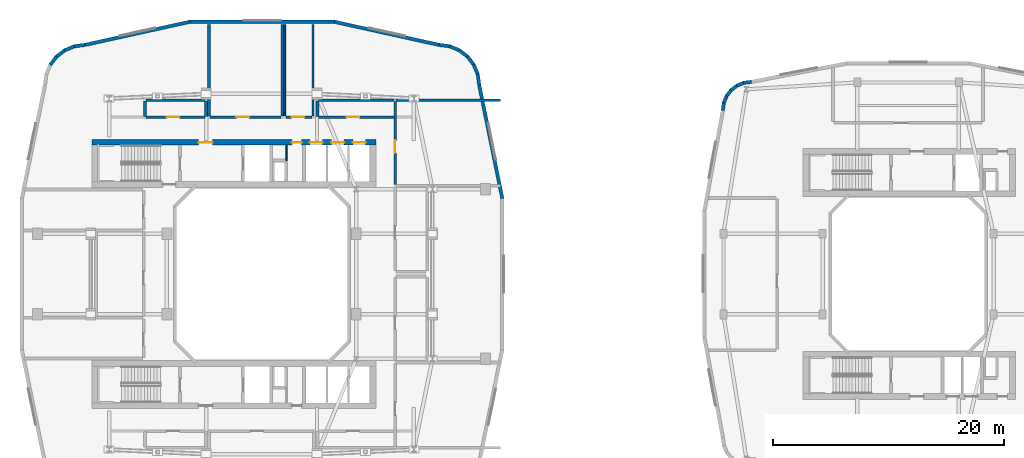
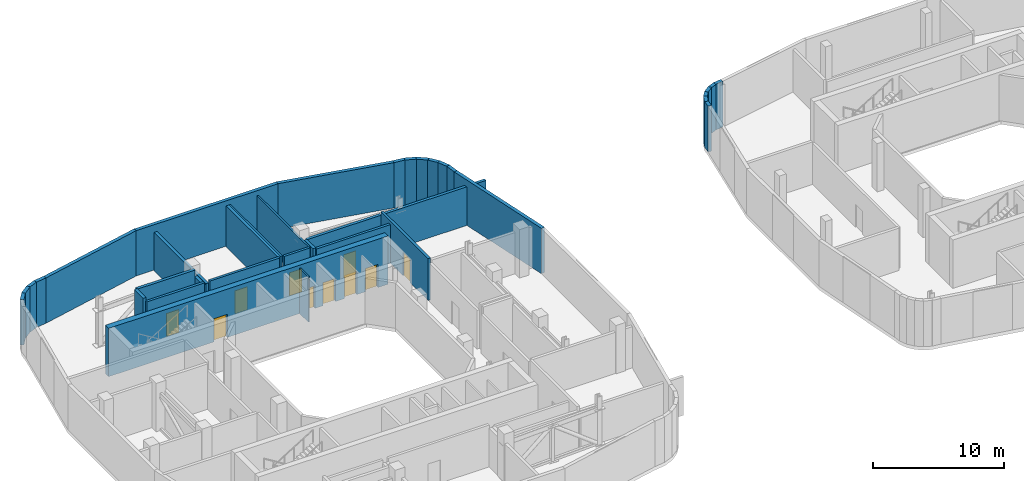
# One storey, part 9 of 18: 37 walls, 10 doors, 10 openings.
"""IFC4 building model written with IfcOpenShell, lengths in metres."""

from ifc_helpers import new_model, si_unit, derived_unit, direction, frame, frame_2d, origin, place, context, subcontext, project, spatial, rectangle, extrude, material, layer, layer_set, type_object, element, fill, save


model = new_model("IFC4")

# Units and contexts
model_context = context("Model", 3, precision=1e-05, world=origin(), true_north=direction((0.0, 1.0)))
body_context = subcontext(model_context, "Body", "Model", "MODEL_VIEW")
ifc_project = project(units=[si_unit("LENGTHUNIT", "METRE"), si_unit("AREAUNIT", "SQUARE_METRE"), si_unit("VOLUMEUNIT", "CUBIC_METRE"), si_unit("PLANEANGLEUNIT", "RADIAN"), si_unit("MASSUNIT", "GRAM", prefix="KILO"), derived_unit("THERMALTRANSMITTANCEUNIT", [(si_unit("POWERUNIT", "WATT"), 1), (si_unit("LENGTHUNIT", "METRE"), -2), (si_unit("THERMODYNAMICTEMPERATUREUNIT", "KELVIN"), -1)])], contexts=[model_context])

# Site, building, storey
site_placement = place(None, origin())
site = spatial("IfcSite", under=ifc_project, at=site_placement, CompositionType="ELEMENT")
building_placement = place(site_placement, origin())
building = spatial("IfcBuilding", under=site, at=building_placement, Name="Kivonza Crest Hotel", CompositionType="ELEMENT")
storey_placement = place(building_placement, frame((0.0, 0.0, 90.5)))
storey = spatial("IfcBuildingStorey", under=building, at=storey_placement, Name="L24", CompositionType="ELEMENT", Elevation=90.5)

# Wall, opening, door
ifc_material_1 = material(Name="Autoclaved aerated concrete blockwork", Category="masonry")
ifc_layer_1 = layer(ifc_material_1, 0.219970703125)
ifc_layer_set_1 = layer_set([ifc_layer_1], Name="Autoclaved aerated concrete blockwork")
wall_type_1 = type_object("IfcWallType", Name="WL-ACOU-220", PredefinedType="SOLIDWALL", material=ifc_layer_set_1)
wall_1_placement = place(storey_placement, frame((16.550048828125, 38.60009765625, 0.0), z_axis=(0.0, 0.0, 1.0), x_axis=(1.0, 0.0, 0.0)))
wall_1 = element("IfcWall", 1, at=wall_1_placement, inside=storey, type_object=wall_type_1, Name="L24 interior partition WA-L24-REF-N-S", PredefinedType="SOLIDWALL", context=body_context, shape_type="SweptSolid", body=[
    extrude(rectangle(XDim=6.14990234375, YDim=0.219970703125, at=frame_2d((3.074951171875, 0.0))), origin(), (0.0, 0.0, 1.0), 3.89501953125),
])
opening_1_placement = place(wall_1_placement, frame((2.262939453125, 0.0, 0.0)))
opening_1 = element("IfcOpeningElement", 2, at=opening_1_placement, cuts=wall_1, Name="Opening DF-120", PredefinedType="OPENING", context=body_context, shape_type="SweptSolid", body=[
    extrude(rectangle(XDim=1.10009765625, YDim=2.14990234375, at=frame_2d((0.550048828125, 1.074951171875))), frame((0.0, 0.1201171875, 0.0), z_axis=(0.0, -1.0, 0.0), x_axis=(1.0, 0.0, 0.0)), (0.0, 0.0, 1.0), 0.239990234375),
])
ifc_material_2 = material(Name="Galvanised steel", Category="steel")
door_type_1 = type_object("IfcDoorType", Name="DR-FD120-1100", OperationType="NOTDEFINED", PredefinedType="DOOR", material=ifc_material_2)
door_1_placement = place(opening_1_placement, origin())
door_1 = element("IfcDoor", 3, at=door_1_placement, inside=storey, type_object=door_type_1, Name="L24 North Protected Refuge Area door", OperationType="SINGLE_SWING_LEFT", OverallHeight=2.14990234375, OverallWidth=1.10009765625, PredefinedType="DOOR", context=body_context, shape_type="SweptSolid", body=[
    extrude(rectangle(XDim=1.10009765625, YDim=2.14990234375, at=frame_2d((0.550048828125, 1.074951171875))), frame((0.0, 0.02490234375, 0.0), z_axis=(0.0, -1.0, 0.0), x_axis=(1.0, 0.0, 0.0)), (0.0, 0.0, 1.0), 0.050048828125),
])
fill(opening_1, door_1)

wall_2_placement = place(storey_placement, frame((23.10009765625, 38.60009765625, 0.0), z_axis=(0.0, 0.0, 1.0), x_axis=(1.0, 0.0, 0.0)))
wall_2 = element("IfcWall", 4, at=wall_2_placement, inside=storey, type_object=wall_type_1, Name="L24 interior partition WA-L24-REF-WC-S", PredefinedType="SOLIDWALL", context=body_context, shape_type="SweptSolid", body=[
    extrude(rectangle(XDim=2.25, YDim=0.219970703125, at=frame_2d((1.125, 0.0))), origin(), (0.0, 0.0, 1.0), 3.89501953125),
])
opening_2_placement = place(wall_2_placement, frame((0.507080078125, 0.0, 0.0)))
opening_2 = element("IfcOpeningElement", 5, at=opening_2_placement, cuts=wall_2, Name="Opening DF-120", PredefinedType="OPENING", context=body_context, shape_type="SweptSolid", body=[
    extrude(rectangle(XDim=1.10009765625, YDim=2.14990234375, at=frame_2d((0.550048828125, 1.074951171875))), frame((0.0, 0.1201171875, 0.0), z_axis=(0.0, -1.0, 0.0), x_axis=(1.0, 0.0, 0.0)), (0.0, 0.0, 1.0), 0.239990234375),
])
door_2_placement = place(opening_2_placement, origin())
door_2 = element("IfcDoor", 6, at=door_2_placement, inside=storey, type_object=door_type_1, Name="L24 Refuge Accessible WC door", OperationType="SINGLE_SWING_RIGHT", OverallHeight=2.14990234375, OverallWidth=1.10009765625, PredefinedType="DOOR", context=body_context, shape_type="SweptSolid", body=[
    extrude(rectangle(XDim=1.10009765625, YDim=2.14990234375, at=frame_2d((0.550048828125, 1.074951171875))), frame((0.0, 0.02490234375, 0.0), z_axis=(0.0, -1.0, 0.0), x_axis=(1.0, 0.0, 0.0)), (0.0, 0.0, 1.0), 0.050048828125),
])
fill(opening_2, door_2)

wall_3_placement = place(storey_placement, frame((11.0, 38.60009765625, 0.0), z_axis=(0.0, 0.0, 1.0), x_axis=(1.0, 0.0, 0.0)))
wall_3 = element("IfcWall", 7, at=wall_3_placement, inside=storey, type_object=wall_type_1, Name="L24 interior partition WA-L24-PL-MNW-S", PredefinedType="SOLIDWALL", context=body_context, shape_type="SweptSolid", body=[
    extrude(rectangle(XDim=5.080078125, YDim=0.219970703125, at=frame_2d((2.5400390625, 0.0))), origin(), (0.0, 0.0, 1.0), 3.89501953125),
])
opening_3_placement = place(wall_3_placement, frame((1.781005859375, 0.0, 0.0)))
opening_3 = element("IfcOpeningElement", 8, at=opening_3_placement, cuts=wall_3, Name="Opening DF-120", PredefinedType="OPENING", context=body_context, shape_type="SweptSolid", body=[
    extrude(rectangle(XDim=1.10009765625, YDim=2.14990234375, at=frame_2d((0.550048828125, 1.074951171875))), frame((0.0, 0.1201171875, 0.0), z_axis=(0.0, -1.0, 0.0), x_axis=(1.0, 0.0, 0.0)), (0.0, 0.0, 1.0), 0.239990234375),
])
door_3_placement = place(opening_3_placement, origin())
door_3 = element("IfcDoor", 9, at=door_3_placement, inside=storey, type_object=door_type_1, Name="L24 North-West Exhaust Plant Room door", OperationType="SINGLE_SWING_RIGHT", OverallHeight=2.14990234375, OverallWidth=1.10009765625, PredefinedType="DOOR", context=body_context, shape_type="SweptSolid", body=[
    extrude(rectangle(XDim=1.10009765625, YDim=2.14990234375, at=frame_2d((0.550048828125, 1.074951171875))), frame((0.0, 0.02490234375, 0.0), z_axis=(0.0, -1.0, 0.0), x_axis=(1.0, 0.0, 0.0)), (0.0, 0.0, 1.0), 0.050048828125),
])
fill(opening_3, door_3)

wall_4_placement = place(storey_placement, frame((25.949951171875, 38.60009765625, 0.0), z_axis=(0.0, 0.0, 1.0), x_axis=(1.0, 0.0, 0.0)))
wall_4 = element("IfcWall", 10, at=wall_4_placement, inside=storey, type_object=wall_type_1, Name="L24 interior partition WA-L24-PL-MIDN-S", PredefinedType="SOLIDWALL", context=body_context, shape_type="SweptSolid", body=[
    extrude(rectangle(XDim=6.510009765625, YDim=0.219970703125, at=frame_2d((3.2548828125, 0.0))), origin(), (0.0, 0.0, 1.0), 3.594970703125),
])
opening_4_placement = place(wall_4_placement, frame((2.425048828125, 0.0, 0.0)))
opening_4 = element("IfcOpeningElement", 11, at=opening_4_placement, cuts=wall_4, Name="Opening DF-120", PredefinedType="OPENING", context=body_context, shape_type="SweptSolid", body=[
    extrude(rectangle(XDim=1.10009765625, YDim=2.14990234375, at=frame_2d((0.550048828125, 1.074951171875))), frame((0.0, 0.1201171875, 0.0), z_axis=(0.0, -1.0, 0.0), x_axis=(1.0, 0.0, 0.0)), (0.0, 0.0, 1.0), 0.239990234375),
])
door_4_placement = place(opening_4_placement, origin())
door_4 = element("IfcDoor", 12, at=door_4_placement, inside=storey, type_object=door_type_1, Name="L24 North-East Header Plant Room door", OperationType="SINGLE_SWING_RIGHT", OverallHeight=2.14990234375, OverallWidth=1.10009765625, PredefinedType="DOOR", context=body_context, shape_type="SweptSolid", body=[
    extrude(rectangle(XDim=1.10009765625, YDim=2.14990234375, at=frame_2d((0.550048828125, 1.074951171875))), frame((0.0, 0.02490234375, 0.0), z_axis=(0.0, -1.0, 0.0), x_axis=(1.0, 0.0, 0.0)), (0.0, 0.0, 1.0), 0.050048828125),
])
fill(opening_4, door_4)

wall_5_placement = place(storey_placement, frame((32.56005859375, 32.75, 0.0), z_axis=(0.0, 0.0, 1.0), x_axis=(0.0, 1.0, 0.0)))
wall_5 = element("IfcWall", 13, at=wall_5_placement, inside=storey, type_object=wall_type_1, Name="L24 interior partition WA-L24-PL-ESTN-W", PredefinedType="SOLIDWALL", context=body_context, shape_type="SweptSolid", body=[
    extrude(rectangle(XDim=7.199951171875, YDim=0.219970703125, at=frame_2d((3.60009765625, 0.0))), origin(), (0.0, 0.0, 1.0), 3.89501953125),
])
opening_5_placement = place(wall_5_placement, frame((2.735107421875, 0.0, 0.0)))
opening_5 = element("IfcOpeningElement", 14, at=opening_5_placement, cuts=wall_5, Name="Opening DF-120", PredefinedType="OPENING", context=body_context, shape_type="SweptSolid", body=[
    extrude(rectangle(XDim=1.10009765625, YDim=2.14990234375, at=frame_2d((0.550048828125, 1.074951171875))), frame((0.0, 0.1201171875, 0.0), z_axis=(0.0, -1.0, 0.0), x_axis=(1.0, 0.0, 0.0)), (0.0, 0.0, 1.0), 0.239990234375),
])
door_5_placement = place(opening_5_placement, frame((1.10009765625, 0.0, 0.0), z_axis=(0.0, 0.0, 1.0), x_axis=(-1.0, 0.0, 0.0)))
door_5 = element("IfcDoor", 15, at=door_5_placement, inside=storey, type_object=door_type_1, Name="L24 North-East Pressurization Fan Plant Room door", OperationType="SINGLE_SWING_RIGHT", OverallHeight=2.14990234375, OverallWidth=1.10009765625, PredefinedType="DOOR", context=body_context, shape_type="SweptSolid", body=[
    extrude(rectangle(XDim=1.10009765625, YDim=2.14990234375, at=frame_2d((0.550048828125, 1.074951171875))), frame((0.0, 0.02490234375, 0.0), z_axis=(0.0, -1.0, 0.0), x_axis=(1.0, 0.0, 0.0)), (0.0, 0.0, 1.0), 0.050048828125),
])
fill(opening_5, door_5)

# Wall, openings, doors
ifc_material_3 = material(Name="Concrete C60/75", Category="concrete")
ifc_layer_2 = layer(ifc_material_3, 0.5)
ifc_layer_set_2 = layer_set([ifc_layer_2], Name="Concrete C60/75")
wall_type_2 = type_object("IfcWallType", Name="WL-CORE-500", PredefinedType="SHEAR", material=ifc_layer_set_2)
wall_6_placement = place(storey_placement, frame((6.300048828125, 36.409912109375, 0.0), z_axis=(0.0, 0.0, 1.0), x_axis=(1.0, 0.0, 0.0)))
wall_6 = element("IfcWall", 16, at=wall_6_placement, inside=storey, type_object=wall_type_2, Name="Core wall T1-N North L24", PredefinedType="SHEAR", context=body_context, shape_type="SweptSolid", body=[
    extrude(rectangle(XDim=24.599853515625, YDim=0.5, at=frame_2d((12.2998046875, 0.0))), origin(), (0.0, 0.0, 1.0), 4.5),
])
opening_6_placement = place(wall_6_placement, frame((9.25, 0.0, 0.0)))
opening_6 = element("IfcOpeningElement", 17, at=opening_6_placement, cuts=wall_6, Name="Opening DF-60", PredefinedType="OPENING", context=body_context, shape_type="SweptSolid", body=[
    extrude(rectangle(XDim=1.199951171875, YDim=2.14990234375, at=frame_2d((0.60009765625, 1.074951171875))), frame((0.0, 0.260009765625, 0.0), z_axis=(0.0, -1.0, 0.0), x_axis=(1.0, 0.0, 0.0)), (0.0, 0.0, 1.0), 0.52001953125),
])
opening_7_placement = place(wall_6_placement, frame((17.320068359375, 0.0, 0.0)))
opening_7 = element("IfcOpeningElement", 18, at=opening_7_placement, cuts=wall_6, Name="Opening DF-60R", PredefinedType="OPENING", context=body_context, shape_type="SweptSolid", body=[
    extrude(rectangle(XDim=0.85009765625, YDim=2.10009765625, at=frame_2d((0.425048828125, 1.050048828125))), frame((0.0, 0.260009765625, 0.0), z_axis=(0.0, -1.0, 0.0), x_axis=(1.0, 0.0, 0.0)), (0.0, 0.0, 1.0), 0.52001953125),
])
opening_8_placement = place(wall_6_placement, frame((18.883056640625, 0.0, 0.0)))
opening_8 = element("IfcOpeningElement", 19, at=opening_8_placement, cuts=wall_6, Name="Opening LD-120", PredefinedType="OPENING", context=body_context, shape_type="SweptSolid", body=[
    extrude(rectangle(XDim=1.10009765625, YDim=2.14990234375, at=frame_2d((0.550048828125, 1.074951171875))), frame((0.0, 0.260009765625, 0.0), z_axis=(0.0, -1.0, 0.0), x_axis=(1.0, 0.0, 0.0)), (0.0, 0.0, 1.0), 0.52001953125),
])
opening_9_placement = place(wall_6_placement, frame((20.75, 0.0, 0.0)))
opening_9 = element("IfcOpeningElement", 20, at=opening_9_placement, cuts=wall_6, Name="Opening LD-120", PredefinedType="OPENING", context=body_context, shape_type="SweptSolid", body=[
    extrude(rectangle(XDim=1.10009765625, YDim=2.14990234375, at=frame_2d((0.550048828125, 1.074951171875))), frame((0.0, 0.260009765625, 0.0), z_axis=(0.0, -1.0, 0.0), x_axis=(1.0, 0.0, 0.0)), (0.0, 0.0, 1.0), 0.52001953125),
])
opening_10_placement = place(wall_6_placement, frame((22.615966796875, 0.0, 0.0)))
opening_10 = element("IfcOpeningElement", 21, at=opening_10_placement, cuts=wall_6, Name="Opening LD-120", PredefinedType="OPENING", context=body_context, shape_type="SweptSolid", body=[
    extrude(rectangle(XDim=1.10009765625, YDim=2.14990234375, at=frame_2d((0.550048828125, 1.074951171875))), frame((0.0, 0.260009765625, 0.0), z_axis=(0.0, -1.0, 0.0), x_axis=(1.0, 0.0, 0.0)), (0.0, 0.0, 1.0), 0.52001953125),
])
ifc_material_4 = material(Name="Hardwood timber oak", Category="wood")
door_type_2 = type_object("IfcDoorType", Name="DR-FD60-1200", OperationType="NOTDEFINED", PredefinedType="DOOR", material=ifc_material_4)
door_6_placement = place(opening_6_placement, origin())
door_6 = element("IfcDoor", 22, at=door_6_placement, inside=storey, type_object=door_type_2, Name="L24 T1-N firefighting lobby fire door", OperationType="SINGLE_SWING_RIGHT", OverallHeight=2.14990234375, OverallWidth=1.199951171875, PredefinedType="DOOR", context=body_context, shape_type="SweptSolid", body=[
    extrude(rectangle(XDim=1.199951171875, YDim=2.14990234375, at=frame_2d((0.60009765625, 1.074951171875))), frame((0.0, 0.02490234375, 0.0), z_axis=(0.0, -1.0, 0.0), x_axis=(1.0, 0.0, 0.0)), (0.0, 0.0, 1.0), 0.050048828125),
])
fill(opening_6, door_6)
door_type_3 = type_object("IfcDoorType", Name="DR-FD60-850", OperationType="NOTDEFINED", PredefinedType="DOOR", material=ifc_material_4)
door_7_placement = place(opening_7_placement, origin())
door_7 = element("IfcDoor", 23, at=door_7_placement, inside=storey, type_object=door_type_3, Name="L24 T1-N core room door", OperationType="SINGLE_SWING_RIGHT", OverallHeight=2.10009765625, OverallWidth=0.85009765625, PredefinedType="DOOR", context=body_context, shape_type="SweptSolid", body=[
    extrude(rectangle(XDim=0.85009765625, YDim=2.10009765625, at=frame_2d((0.425048828125, 1.050048828125))), frame((0.0, 0.02490234375, 0.0), z_axis=(0.0, -1.0, 0.0), x_axis=(1.0, 0.0, 0.0)), (0.0, 0.0, 1.0), 0.050048828125),
])
fill(opening_7, door_7)
ifc_material_5 = material(Name="Stainless steel", Category="steel")
door_type_4 = type_object("IfcDoorType", Name="DR-LD120-1100", OperationType="NOTDEFINED", PredefinedType="DOOR", material=ifc_material_5)
door_8_placement = place(opening_8_placement, origin())
door_8 = element("IfcDoor", 24, at=door_8_placement, inside=storey, type_object=door_type_4, Name="L24 PL-T1-L1 passenger lift sliding landing door", OperationType="DOUBLE_DOOR_SLIDING", OverallHeight=2.14990234375, OverallWidth=1.10009765625, PredefinedType="DOOR", context=body_context, shape_type="SweptSolid", body=[
    extrude(rectangle(XDim=1.10009765625, YDim=2.14990234375, at=frame_2d((0.550048828125, 1.074951171875))), frame((0.0, 0.02490234375, 0.0), z_axis=(0.0, -1.0, 0.0), x_axis=(1.0, 0.0, 0.0)), (0.0, 0.0, 1.0), 0.050048828125),
])
fill(opening_8, door_8)
door_9_placement = place(opening_9_placement, origin())
door_9 = element("IfcDoor", 25, at=door_9_placement, inside=storey, type_object=door_type_4, Name="L24 PL-T1-L2 passenger lift sliding landing door", OperationType="DOUBLE_DOOR_SLIDING", OverallHeight=2.14990234375, OverallWidth=1.10009765625, PredefinedType="DOOR", context=body_context, shape_type="SweptSolid", body=[
    extrude(rectangle(XDim=1.10009765625, YDim=2.14990234375, at=frame_2d((0.550048828125, 1.074951171875))), frame((0.0, 0.02490234375, 0.0), z_axis=(0.0, -1.0, 0.0), x_axis=(1.0, 0.0, 0.0)), (0.0, 0.0, 1.0), 0.050048828125),
])
fill(opening_9, door_9)
door_10_placement = place(opening_10_placement, origin())
door_10 = element("IfcDoor", 26, at=door_10_placement, inside=storey, type_object=door_type_4, Name="L24 PL-T1-L3 passenger lift sliding landing door", OperationType="DOUBLE_DOOR_SLIDING", OverallHeight=2.14990234375, OverallWidth=1.10009765625, PredefinedType="DOOR", context=body_context, shape_type="SweptSolid", body=[
    extrude(rectangle(XDim=1.10009765625, YDim=2.14990234375, at=frame_2d((0.550048828125, 1.074951171875))), frame((0.0, 0.02490234375, 0.0), z_axis=(0.0, -1.0, 0.0), x_axis=(1.0, 0.0, 0.0)), (0.0, 0.0, 1.0), 0.050048828125),
])
fill(opening_10, door_10)

# Walls
ifc_material_6 = material(Name="Precast concrete C40/50", Category="concrete")
ifc_layer_3 = layer(ifc_material_6, 0.300048828125)
ifc_layer_set_3 = layer_set([ifc_layer_3], Name="Precast concrete C40/50")
wall_type_3 = type_object("IfcWallType", Name="WL-EXT-300", PredefinedType="STANDARD", material=ifc_layer_set_3)
wall_7_placement = place(storey_placement, frame((41.85791015625, 31.5458984375, 0.0), z_axis=(0.0, 0.0, 1.0), x_axis=(-0.19998861198, 0.979798221614, 0.0)))
element("IfcWall", 27, at=wall_7_placement, inside=storey, type_object=wall_type_3, Name="L24 T1 exterior insulated wall 18", PredefinedType="STANDARD", context=body_context, shape_type="SweptSolid", body=[
    extrude(rectangle(XDim=10.03466796875, YDim=0.300048828125, at=frame_2d((5.017333984375, 0.0))), origin(), (0.0, 0.0, 1.0), 4.219970703125),
])
wall_8_placement = place(storey_placement, frame((39.85205078125, 41.3720703125, 0.0), z_axis=(0.0, 0.0, 1.0), x_axis=(-0.131174864804, 0.991359246108, 0.0)))
element("IfcWall", 28, at=wall_8_placement, inside=storey, type_object=wall_type_3, Name="L24 T1 exterior insulated wall 19", PredefinedType="STANDARD", context=body_context, shape_type="SweptSolid", body=[
    extrude(rectangle(XDim=0.93798828125, YDim=0.300048828125, at=frame_2d((0.468994140625, 0.0))), origin(), (0.0, 0.0, 1.0), 4.219970703125),
])
wall_9_placement = place(storey_placement, frame((39.748046875, 42.251953125, 0.0), z_axis=(0.0, 0.0, 1.0), x_axis=(-0.382344263057, 0.924019948111, 0.0)))
element("IfcWall", 29, at=wall_9_placement, inside=storey, type_object=wall_type_3, Name="L24 T1 exterior insulated wall 20", PredefinedType="STANDARD", context=body_context, shape_type="SweptSolid", body=[
    extrude(rectangle(XDim=0.95458984375, YDim=0.300048828125, at=frame_2d((0.477294921875, 0.0))), origin(), (0.0, 0.0, 1.0), 4.219970703125),
])
wall_10_placement = place(storey_placement, frame((39.4140625, 43.089111328125, 0.0), z_axis=(0.0, 0.0, 1.0), x_axis=(-0.608474481025, 0.793573440799, 0.0)))
element("IfcWall", 30, at=wall_10_placement, inside=storey, type_object=wall_type_3, Name="L24 T1 exterior insulated wall 21", PredefinedType="STANDARD", context=body_context, shape_type="SweptSolid", body=[
    extrude(rectangle(XDim=0.954833984375, YDim=0.300048828125, at=frame_2d((0.4775390625, 0.0))), origin(), (0.0, 0.0, 1.0), 4.219970703125),
])
wall_11_placement = place(storey_placement, frame((38.875, 43.81201171875, 0.0), z_axis=(0.0, 0.0, 1.0), x_axis=(-0.793668068435, 0.608351047625, 0.0)))
element("IfcWall", 31, at=wall_11_placement, inside=storey, type_object=wall_type_3, Name="L24 T1 exterior insulated wall 22", PredefinedType="STANDARD", context=body_context, shape_type="SweptSolid", body=[
    extrude(rectangle(XDim=0.955078125, YDim=0.300048828125, at=frame_2d((0.4775390625, 0.0))), origin(), (0.0, 0.0, 1.0), 4.219970703125),
])
wall_12_placement = place(storey_placement, frame((38.166015625, 44.368896484375, 0.0), z_axis=(0.0, 0.0, 1.0), x_axis=(-0.924019948111, 0.382344263057, 0.0)))
element("IfcWall", 32, at=wall_12_placement, inside=storey, type_object=wall_type_3, Name="L24 T1 exterior insulated wall 23", PredefinedType="STANDARD", context=body_context, shape_type="SweptSolid", body=[
    extrude(rectangle(XDim=0.95458984375, YDim=0.300048828125, at=frame_2d((0.477294921875, 0.0))), origin(), (0.0, 0.0, 1.0), 4.219970703125),
])
wall_13_placement = place(storey_placement, frame((37.3369140625, 44.72509765625, 0.0), z_axis=(0.0, 0.0, 1.0), x_axis=(-0.991454295543, 0.130454512571, 0.0)))
element("IfcWall", 33, at=wall_13_placement, inside=storey, type_object=wall_type_3, Name="L24 T1 exterior insulated wall 24", PredefinedType="STANDARD", context=body_context, shape_type="SweptSolid", body=[
    extrude(rectangle(XDim=0.97314453125, YDim=0.300048828125, at=frame_2d((0.486572265625, 0.0))), origin(), (0.0, 0.0, 1.0), 4.219970703125),
])
wall_14_placement = place(storey_placement, frame((36.3759765625, 44.85205078125, 0.0), z_axis=(0.0, 0.0, 1.0), x_axis=(-0.976540764801, 0.215332614068, 0.0)))
element("IfcWall", 34, at=wall_14_placement, inside=storey, type_object=wall_type_3, Name="L24 T1 exterior insulated wall 25", PredefinedType="STANDARD", context=body_context, shape_type="SweptSolid", body=[
    extrude(rectangle(XDim=9.287841796875, YDim=0.300048828125, at=frame_2d((4.64404296875, 0.0))), origin(), (0.0, 0.0, 1.0), 4.219970703125),
])
wall_15_placement = place(storey_placement, frame((27.35302734375, 46.85009765625, 0.0), z_axis=(0.0, 0.0, 1.0), x_axis=(-1.0, 0.0, 0.0)))
element("IfcWall", 35, at=wall_15_placement, inside=storey, type_object=wall_type_3, Name="L24 T1 exterior insulated wall 26", PredefinedType="STANDARD", context=body_context, shape_type="SweptSolid", body=[
    extrude(rectangle(XDim=12.591064453125, YDim=0.300048828125, at=frame_2d((6.29541015625, 0.0))), origin(), (0.0, 0.0, 1.0), 4.219970703125),
])
wall_16_placement = place(storey_placement, frame((14.80810546875, 46.85888671875, 0.0), z_axis=(0.0, 0.0, 1.0), x_axis=(-0.976555357219, -0.21526642629, 0.0)))
element("IfcWall", 36, at=wall_16_placement, inside=storey, type_object=wall_type_3, Name="L24 T1 exterior insulated wall 27", PredefinedType="STANDARD", context=body_context, shape_type="SweptSolid", body=[
    extrude(rectangle(XDim=9.322509765625, YDim=0.300048828125, at=frame_2d((4.6611328125, 0.0))), origin(), (0.0, 0.0, 1.0), 4.219970703125),
])
wall_17_placement = place(storey_placement, frame((5.7080078125, 44.85205078125, 0.0), z_axis=(0.0, 0.0, 1.0), x_axis=(-0.991359246108, -0.131174864804, 0.0)))
element("IfcWall", 37, at=wall_17_placement, inside=storey, type_object=wall_type_3, Name="L24 T1 exterior insulated wall 28", PredefinedType="STANDARD", context=body_context, shape_type="SweptSolid", body=[
    extrude(rectangle(XDim=0.93798828125, YDim=0.300048828125, at=frame_2d((0.468994140625, 0.0))), origin(), (0.0, 0.0, 1.0), 4.219970703125),
])
wall_18_placement = place(storey_placement, frame((4.827880859375, 44.748046875, 0.0), z_axis=(0.0, 0.0, 1.0), x_axis=(-0.923982547689, -0.382434636986, 0.0)))
element("IfcWall", 38, at=wall_18_placement, inside=storey, type_object=wall_type_3, Name="L24 T1 exterior insulated wall 29", PredefinedType="STANDARD", context=body_context, shape_type="SweptSolid", body=[
    extrude(rectangle(XDim=0.954345703125, YDim=0.300048828125, at=frame_2d((0.47705078125, 0.0))), origin(), (0.0, 0.0, 1.0), 4.219970703125),
])
for number, where, z_axis, x_axis, name in (
    (39, (3.990966796875, 44.4140625, 0.0), (0.0, 0.0, 1.0), (-0.793668068435, -0.608351047625, 0.0), "L24 T1 exterior insulated wall 30"),
    (40, (3.26806640625, 43.875, 0.0), (0.0, 0.0, 1.0), (-0.608351047625, -0.793668068435, 0.0), "L24 T1 exterior insulated wall 31"),
):
    element("IfcWall", number, at=place(storey_placement, frame(where, z_axis=z_axis, x_axis=x_axis)), inside=storey, type_object=wall_type_3, Name=name, PredefinedType="STANDARD", context=body_context, shape_type="SweptSolid", body=[
        extrude(rectangle(XDim=0.955078125, YDim=0.300048828125, at=frame_2d((0.4775390625, 0.0))), origin(), (0.0, 0.0, 1.0), 4.219970703125),
    ])
wall_19_placement = place(storey_placement, frame((63.427978515625, 41.652099609375, 0.0), z_axis=(0.0, 0.0, 1.0), x_axis=(-0.991293937098, -0.131667498923, 0.0)))
element("IfcWall", 41, at=wall_19_placement, inside=storey, type_object=wall_type_3, Name="L24 T2 exterior insulated wall 28", PredefinedType="STANDARD", context=body_context, shape_type="SweptSolid", body=[
    extrude(rectangle(XDim=0.6767578125, YDim=0.300048828125, at=frame_2d((0.33837890625, 0.0))), origin(), (0.0, 0.0, 1.0), 4.25),
])
wall_20_placement = place(storey_placement, frame((62.806884765625, 41.58203125, 0.0), z_axis=(0.0, 0.0, 1.0), x_axis=(-0.924042561464, -0.382289608286, 0.0)))
element("IfcWall", 42, at=wall_20_placement, inside=storey, type_object=wall_type_3, Name="L24 T2 exterior insulated wall 29", PredefinedType="STANDARD", context=body_context, shape_type="SweptSolid", body=[
    extrude(rectangle(XDim=0.693603515625, YDim=0.300048828125, at=frame_2d((0.3466796875, 0.0))), origin(), (0.0, 0.0, 1.0), 4.25),
])
for number, where, z_axis, x_axis, name in (
    (43, (62.2109375, 41.347900390625, 0.0), (0.0, 0.0, 1.0), (-0.792807092876, -0.609472651958, 0.0), "L24 T2 exterior insulated wall 30"),
    (44, (61.696044921875, 40.967041015625, 0.0), (0.0, 0.0, 1.0), (-0.609693758543, -0.792637067512, 0.0), "L24 T2 exterior insulated wall 31"),
    (45, (61.297119140625, 40.466064453125, 0.0), (0.0, 0.0, 1.0), (-0.382165294877, -0.924093981904, 0.0), "L24 T2 exterior insulated wall 32"),
):
    element("IfcWall", number, at=place(storey_placement, frame(where, z_axis=z_axis, x_axis=x_axis)), inside=storey, type_object=wall_type_3, Name=name, PredefinedType="STANDARD", context=body_context, shape_type="SweptSolid", body=[
        extrude(rectangle(XDim=0.69384765625, YDim=0.300048828125, at=frame_2d((0.346923828125, 0.0))), origin(), (0.0, 0.0, 1.0), 4.25),
    ])
wall_21_placement = place(storey_placement, frame((61.041015625, 39.8779296875, 0.0), z_axis=(0.0, 0.0, 1.0), x_axis=(-0.130658543777, -0.991427427974, 0.0)))
element("IfcWall", 46, at=wall_21_placement, inside=storey, type_object=wall_type_3, Name="L24 T2 exterior insulated wall 33", PredefinedType="STANDARD", context=body_context, shape_type="SweptSolid", body=[
    extrude(rectangle(XDim=0.7119140625, YDim=0.300048828125, at=frame_2d((0.35595703125, 0.0))), origin(), (0.0, 0.0, 1.0), 4.25),
])
ifc_material_7 = material(Name="Concrete blockwork fire-compartment wall", Category="masonry")
ifc_layer_4 = layer(ifc_material_7, 0.25)
ifc_layer_set_4 = layer_set([ifc_layer_4], Name="Concrete blockwork fire-compartment wall")
wall_type_4 = type_object("IfcWallType", Name="WL-FIRE-250", PredefinedType="SOLIDWALL", material=ifc_layer_set_4)
wall_22_placement = place(storey_placement, frame((16.449951171875, 38.699951171875, 0.0), z_axis=(0.0, 0.0, 1.0), x_axis=(0.0, 1.0, 0.0)))
element("IfcWall", 47, at=wall_22_placement, inside=storey, type_object=wall_type_4, Name="L24 interior partition WP-L24-REF-N-BW", PredefinedType="SOLIDWALL", context=body_context, shape_type="SweptSolid", body=[
    extrude(rectangle(XDim=7.900146484375, YDim=0.25, at=frame_2d((3.9501953125, 0.0))), origin(), (0.0, 0.0, 1.0), 3.594970703125),
])
wall_23_placement = place(storey_placement, frame((22.800048828125, 38.699951171875, 0.0), z_axis=(0.0, 0.0, 1.0), x_axis=(0.0, 1.0, 0.0)))
element("IfcWall", 48, at=wall_23_placement, inside=storey, type_object=wall_type_4, Name="L24 interior partition WP-L24-REF-N-BE", PredefinedType="SOLIDWALL", context=body_context, shape_type="SweptSolid", body=[
    extrude(rectangle(XDim=7.900146484375, YDim=0.25, at=frame_2d((3.9501953125, 0.0))), origin(), (0.0, 0.0, 1.0), 3.8349609375),
])
wall_24_placement = place(storey_placement, frame((10.89990234375, 38.64990234375, 0.0), z_axis=(0.0, 0.0, 1.0), x_axis=(0.0, 1.0, 0.0)))
element("IfcWall", 49, at=wall_24_placement, inside=storey, type_object=wall_type_4, Name="L24 interior partition WP-L24-PL-MNW-BW", PredefinedType="SOLIDWALL", context=body_context, shape_type="SweptSolid", body=[
    extrude(rectangle(XDim=1.35009765625, YDim=0.25, at=frame_2d((0.675048828125, 0.0))), origin(), (0.0, 0.0, 1.0), 4.219970703125),
])
wall_25_placement = place(storey_placement, frame((16.179931640625, 38.64990234375, 0.0), z_axis=(0.0, 0.0, 1.0), x_axis=(0.0, 1.0, 0.0)))
element("IfcWall", 50, at=wall_25_placement, inside=storey, type_object=wall_type_4, Name="L24 interior partition WP-L24-PL-MNW-BE", PredefinedType="SOLIDWALL", context=body_context, shape_type="SweptSolid", body=[
    extrude(rectangle(XDim=1.35009765625, YDim=0.25, at=frame_2d((0.675048828125, 0.0))), origin(), (0.0, 0.0, 1.0), 3.594970703125),
])
wall_26_placement = place(storey_placement, frame((11.0, 40.050048828125, 0.0), z_axis=(0.0, 0.0, 1.0), x_axis=(1.0, 0.0, 0.0)))
element("IfcWall", 51, at=wall_26_placement, inside=storey, type_object=wall_type_4, Name="L24 interior partition WP-L24-PL-MNW-BN", PredefinedType="SOLIDWALL", context=body_context, shape_type="SweptSolid", body=[
    extrude(rectangle(XDim=5.080078125, YDim=0.25, at=frame_2d((2.5400390625, 0.0))), origin(), (0.0, 0.0, 1.0), 4.219970703125),
])
wall_27_placement = place(storey_placement, frame((25.85009765625, 38.64990234375, 0.0), z_axis=(0.0, 0.0, 1.0), x_axis=(0.0, 1.0, 0.0)))
element("IfcWall", 52, at=wall_27_placement, inside=storey, type_object=wall_type_4, Name="L24 interior partition WP-L24-PL-MIDN-BW", PredefinedType="SOLIDWALL", context=body_context, shape_type="SweptSolid", body=[
    extrude(rectangle(XDim=1.35009765625, YDim=0.25, at=frame_2d((0.675048828125, 0.0))), origin(), (0.0, 0.0, 1.0), 3.594970703125),
])
wall_28_placement = place(storey_placement, frame((25.949951171875, 40.050048828125, 0.0), z_axis=(0.0, 0.0, 1.0), x_axis=(1.0, 0.0, 0.0)))
element("IfcWall", 53, at=wall_28_placement, inside=storey, type_object=wall_type_4, Name="L24 interior partition WP-L24-PL-MIDN-BN", PredefinedType="SOLIDWALL", context=body_context, shape_type="SweptSolid", body=[
    extrude(rectangle(XDim=6.510009765625, YDim=0.25, at=frame_2d((3.2548828125, 0.0))), origin(), (0.0, 0.0, 1.0), 3.594970703125),
])
wall_29_placement = place(storey_placement, frame((32.659912109375, 40.050048828125, 0.0), z_axis=(0.0, 0.0, 1.0), x_axis=(1.0, 0.0, 0.0)))
element("IfcWall", 54, at=wall_29_placement, inside=storey, type_object=wall_type_4, Name="L24 interior partition WP-L24-PL-ESTN-BN", PredefinedType="SOLIDWALL", context=body_context, shape_type="SweptSolid", body=[
    extrude(rectangle(XDim=9.0400390625, YDim=0.25, at=frame_2d((4.52001953125, 0.0))), origin(), (0.0, 0.0, 1.0), 3.594970703125),
])
ifc_material_8 = material(Name="Metal-stud gypsum board partition", Category="gypsum")
ifc_layer_5 = layer(ifc_material_8, 0.125)
ifc_layer_set_5 = layer_set([ifc_layer_5], Name="Metal-stud gypsum board partition")
wall_type_5 = type_object("IfcWallType", Name="WL-PART-125", PredefinedType="PARTITIONING", material=ifc_layer_set_5)
wall_30_placement = place(storey_placement, frame((23.159912109375, 34.820068359375, 0.0), z_axis=(0.0, 0.0, 1.0), x_axis=(0.0, 1.0, 0.0)))
element("IfcWall", 55, at=wall_30_placement, inside=storey, type_object=wall_type_5, Name="L24 interior partition WP-L24-T1-N-SV1V", PredefinedType="PARTITIONING", context=body_context, shape_type="SweptSolid", body=[
    extrude(rectangle(XDim=1.33984375, YDim=0.125, at=frame_2d((0.669921875, 0.0))), origin(), (0.0, 0.0, 1.0), 4.219970703125),
])
ifc_material_9 = material(Name="Twin-stud acoustic gypsum board partition", Category="gypsum")
ifc_layer_6 = layer(ifc_material_9, 0.14990234375)
ifc_layer_set_6 = layer_set([ifc_layer_6], Name="Twin-stud acoustic gypsum board partition")
wall_type_6 = type_object("IfcWallType", Name="WL-PART-150", PredefinedType="PARTITIONING", material=ifc_layer_set_6)
for number, where, z_axis, x_axis, name in (
    (56, (23.0, 38.699951171875, 0.0), (0.0, 0.0, 1.0), (0.0, 1.0, 0.0), "L24 interior partition WP-L24-REF-WC-BW"),
    (57, (25.449951171875, 38.699951171875, 0.0), (0.0, 0.0, 1.0), (0.0, 1.0, 0.0), "L24 interior partition WP-L24-REF-WC-BE"),
):
    element("IfcWall", number, at=place(storey_placement, frame(where, z_axis=z_axis, x_axis=x_axis)), inside=storey, type_object=wall_type_6, Name=name, PredefinedType="PARTITIONING", context=body_context, shape_type="SweptSolid", body=[
        extrude(rectangle(XDim=7.900146484375, YDim=0.14990234375, at=frame_2d((3.9501953125, 0.0))), origin(), (0.0, 0.0, 1.0), 3.8349609375),
    ])

save(model, "model.ifc")
